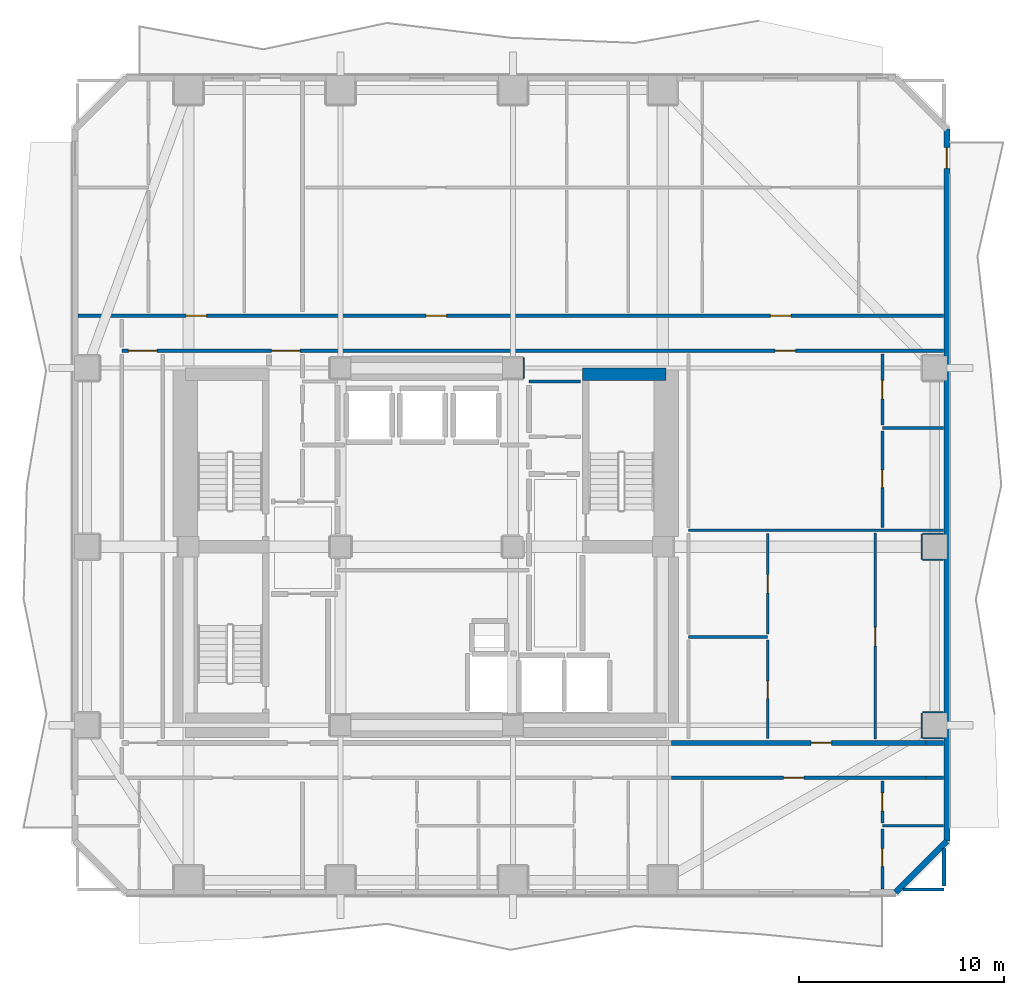
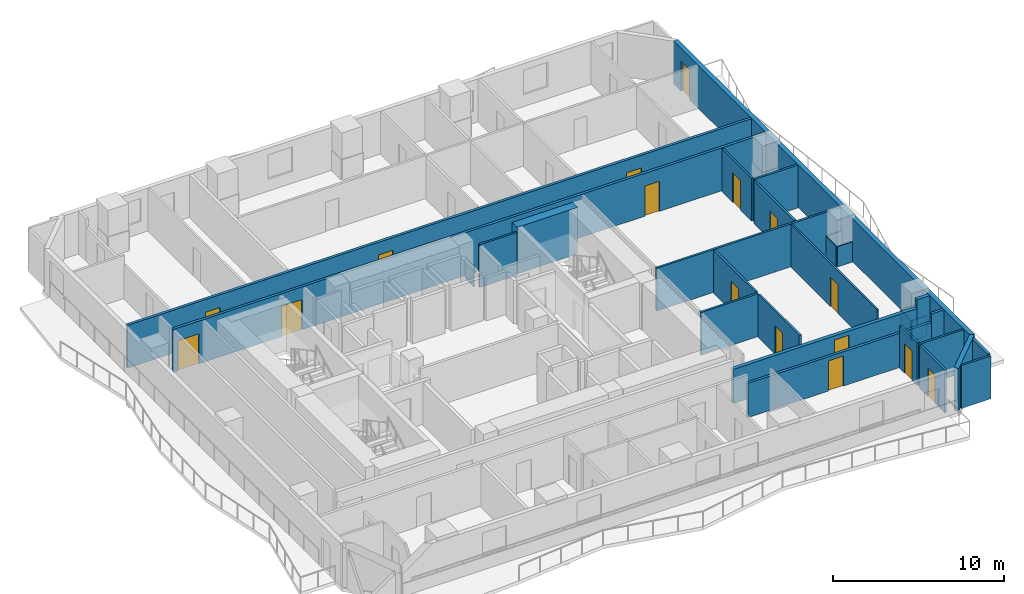
# One storey, part 5 of 11: 30 walls, 16 doors, 16 openings.
"""IFC4 building model written with IfcOpenShell, lengths in metres."""

from ifc_helpers import new_model, si_unit, direction, frame, frame_2d, origin, place, context, subcontext, project, spatial, rectangle, extrude, material, layer, layer_set, type_object, element, fill, save


model = new_model("IFC4")

# Units and contexts
model_context = context("Model", 3, precision=1e-05, world=origin(), true_north=direction((0.0, 1.0)))
body_context = subcontext(model_context, "Body", "Model", "MODEL_VIEW")
ifc_project = project(units=[si_unit("LENGTHUNIT", "METRE"), si_unit("AREAUNIT", "SQUARE_METRE"), si_unit("VOLUMEUNIT", "CUBIC_METRE"), si_unit("PLANEANGLEUNIT", "RADIAN"), si_unit("MASSUNIT", "GRAM", prefix="KILO")], contexts=[model_context])

# Site, building, storey
site_placement = place(None, origin())
site = spatial("IfcSite", under=ifc_project, at=site_placement, CompositionType="ELEMENT")
building_placement = place(site_placement, origin())
building = spatial("IfcBuilding", under=site, at=building_placement, Name="Solanera Arch Residences", CompositionType="ELEMENT")
storey_placement = place(building_placement, frame((0.0, 0.0, 65.159912109375)))
storey = spatial("IfcBuildingStorey", under=building, at=storey_placement, Name="L18", CompositionType="ELEMENT", Elevation=65.159912109375)

# Walls
ifc_material_1 = material(Name="Fire-Rated Gypsum Stud Partition", Category="gypsum")
ifc_layer_1 = layer(ifc_material_1, 0.06005859375)
ifc_layer_set_1 = layer_set([ifc_layer_1], Name="Fire-Rated Gypsum Stud Partition")
wall_type_1 = type_object("IfcWallType", Name="Column Acoustic Furring Wall 60", PredefinedType="PARTITIONING", material=ifc_layer_set_1)
wall_1_placement = place(storey_placement, frame((29.73193359375, 38.89990234375, 0.0), z_axis=(0.0, 0.0, 1.0), x_axis=(0.0, 1.0, 0.0)))
element("IfcWall", 1, at=wall_1_placement, inside=storey, type_object=wall_type_1, Name="L18 Column Furring 4E", PredefinedType="PARTITIONING", context=body_context, shape_type="SweptSolid", body=[
    extrude(rectangle(XDim=1.0, YDim=0.06005859375, at=frame_2d((0.5, 0.0))), origin(), (0.0, 0.0, 1.0), 1.4501953125),
])
for number, where, z_axis, x_axis, name in (
    (2, (49.14990234375, 21.367919921875, 0.0), (0.0, 0.0, 1.0), (1.0, 0.0, 0.0), "L18 Column Furring 18S"),
    (3, (49.14990234375, 22.632080078125, 0.0), (0.0, 0.0, 1.0), (1.0, 0.0, 0.0), "L18 Column Furring 18N"),
):
    element("IfcWall", number, at=place(storey_placement, frame(where, z_axis=z_axis, x_axis=x_axis)), inside=storey, type_object=wall_type_1, Name=name, PredefinedType="PARTITIONING", context=body_context, shape_type="SweptSolid", body=[
        extrude(rectangle(XDim=1.02001953125, YDim=0.06005859375, at=frame_2d((0.510009765625, 0.0))), origin(), (0.0, 0.0, 1.0), 1.4501953125),
    ])
wall_2_placement = place(storey_placement, frame((49.117919921875, 21.39990234375, 0.0), z_axis=(0.0, 0.0, 1.0), x_axis=(0.0, 1.0, 0.0)))
element("IfcWall", 4, at=wall_2_placement, inside=storey, type_object=wall_type_1, Name="L18 Column Furring 18W", PredefinedType="PARTITIONING", context=body_context, shape_type="SweptSolid", body=[
    extrude(rectangle(XDim=1.2001953125, YDim=0.06005859375, at=frame_2d((0.60009765625, 0.0))), origin(), (0.0, 0.0, 1.0), 1.4501953125),
])
for number, where, z_axis, x_axis, name in (
    (5, (49.14990234375, 30.068115234375, 0.0), (0.0, 0.0, 1.0), (1.0, 0.0, 0.0), "L18 Column Furring 20S"),
    (6, (49.14990234375, 31.33203125, 0.0), (0.0, 0.0, 1.0), (1.0, 0.0, 0.0), "L18 Column Furring 20N"),
):
    element("IfcWall", number, at=place(storey_placement, frame(where, z_axis=z_axis, x_axis=x_axis)), inside=storey, type_object=wall_type_1, Name=name, PredefinedType="PARTITIONING", context=body_context, shape_type="SweptSolid", body=[
        extrude(rectangle(XDim=1.02001953125, YDim=0.06005859375, at=frame_2d((0.510009765625, 0.0))), origin(), (0.0, 0.0, 1.0), 1.4501953125),
    ])
wall_3_placement = place(storey_placement, frame((49.117919921875, 30.10009765625, 0.0), z_axis=(0.0, 0.0, 1.0), x_axis=(0.0, 1.0, 0.0)))
element("IfcWall", 7, at=wall_3_placement, inside=storey, type_object=wall_type_1, Name="L18 Column Furring 20W", PredefinedType="PARTITIONING", context=body_context, shape_type="SweptSolid", body=[
    extrude(rectangle(XDim=1.199951171875, YDim=0.06005859375, at=frame_2d((0.60009765625, 0.0))), origin(), (0.0, 0.0, 1.0), 1.4501953125),
])
ifc_material_2 = material(Name="Concrete C40/50 (f'c = 45 MPa)", Category="concrete")
ifc_layer_2 = layer(ifc_material_2, 0.60009765625)
ifc_layer_set_2 = layer_set([ifc_layer_2], Name="Concrete C40/50 (f'c = 45 MPa)")
wall_type_2 = type_object("IfcWallType", Name="Core Shear Wall CW-600", PredefinedType="SHEAR", material=ifc_layer_set_2)
wall_4_placement = place(storey_placement, frame((32.580078125, 39.10009765625, 0.0), z_axis=(0.0, 0.0, 1.0), x_axis=(1.0, 0.0, 0.0)))
element("IfcWall", 8, at=wall_4_placement, inside=storey, type_object=wall_type_2, Name="L18 North-East Core Shear Wall", PredefinedType="SHEAR", context=body_context, shape_type="SweptSolid", body=[
    extrude(rectangle(XDim=4.079833984375, YDim=0.60009765625, at=frame_2d((2.0400390625, 0.0))), origin(), (0.0, 0.0, 1.0), 3.320068359375),
])

# Wall, opening, door
ifc_material_3 = material(Name="Autoclaved Aerated Concrete Blockwork", Category="masonry")
ifc_layer_3 = layer(ifc_material_3, 0.179931640625)
ifc_layer_set_3 = layer_set([ifc_layer_3], Name="Autoclaved Aerated Concrete Blockwork")
wall_type_3 = type_object("IfcWallType", Name="Corridor Fire Partition 180", PredefinedType="PARTITIONING", material=ifc_layer_set_3)
wall_5_placement = place(storey_placement, frame((36.928955078125, 19.449951171875, 0.0), z_axis=(0.0, 0.0, 1.0), x_axis=(1.0, 0.0, 0.0)))
wall_5 = element("IfcWall", 9, at=wall_5_placement, inside=storey, type_object=wall_type_3, Name="L18 Interior Partition H7 2", PredefinedType="PARTITIONING", context=body_context, shape_type="SweptSolid", body=[
    extrude(rectangle(XDim=12.39208984375, YDim=0.179931640625, at=frame_2d((6.196044921875, 0.0))), origin(), (0.0, 0.0, 1.0), 2.445068359375),
])
opening_1_placement = place(wall_5_placement, frame((5.447021484375, 0.0, 0.0)))
opening_1 = element("IfcOpeningElement", 10, at=opening_1_placement, cuts=wall_5, Name="Opening DI-01", PredefinedType="OPENING", context=body_context, shape_type="SweptSolid", body=[
    extrude(rectangle(XDim=1.0, YDim=2.14990234375, at=frame_2d((0.5, 1.074951171875))), frame((0.0, 0.10009765625, 0.0), z_axis=(0.0, -1.0, 0.0), x_axis=(1.0, 0.0, 0.0)), (0.0, 0.0, 1.0), 0.1999),
])
ifc_material_4 = material(Name="Fire-Rated Architectural Hardwood", Category="wood")
door_type_1 = type_object("IfcDoorType", Name="Unit Entrance Fire Door DI-01", OperationType="NOTDEFINED", PredefinedType="DOOR", material=ifc_material_4)
door_1_placement = place(opening_1_placement, origin())
door_1 = element("IfcDoor", 11, at=door_1_placement, inside=storey, type_object=door_type_1, Name="DR-L18-IN-025", OperationType="SINGLE_SWING_LEFT", OverallHeight=2.14990234375, OverallWidth=1.0, PredefinedType="DOOR", context=body_context, shape_type="SweptSolid", body=[
    extrude(rectangle(XDim=1.0, YDim=2.14990234375, at=frame_2d((0.5, 1.074951171875))), frame((0.0, 0.02490234375, 0.0), z_axis=(0.0, -1.0, 0.0), x_axis=(1.0, 0.0, 0.0)), (0.0, 0.0, 1.0), 0.050048828125),
])
fill(opening_1, door_1)

# Wall
wall_6_placement = place(storey_placement, frame((49.321044921875, 19.449951171875, 0.0), z_axis=(0.0, 0.0, 1.0), x_axis=(1.0, 0.0, 0.0)))
element("IfcWall", 12, at=wall_6_placement, inside=storey, type_object=wall_type_3, Name="L18 Interior Partition H7 3", PredefinedType="PARTITIONING", context=body_context, shape_type="SweptSolid", body=[
    extrude(rectangle(XDim=0.85205078125, YDim=0.179931640625, at=frame_2d((0.426025390625, 0.0))), origin(), (0.0, 0.0, 1.0), 3.06005859375),
])

# Wall, openings, doors
wall_7_placement = place(storey_placement, frame((10.14990234375, 40.25, 0.0), z_axis=(0.0, 0.0, 1.0), x_axis=(1.0, 0.0, 0.0)))
wall_7 = element("IfcWall", 13, at=wall_7_placement, inside=storey, type_object=wall_type_3, Name="L18 Interior Partition H10", PredefinedType="PARTITIONING", context=body_context, shape_type="SweptSolid", body=[
    extrude(rectangle(XDim=40.023193359375, YDim=0.179931640625, at=frame_2d((20.01171875, 0.0))), origin(), (0.0, 0.0, 1.0), 3.06005859375),
])
opening_2_placement = place(wall_7_placement, frame((7.284912109375, 0.0, 0.0)))
opening_2 = element("IfcOpeningElement", 14, at=opening_2_placement, cuts=wall_7, Name="Opening DF-03", PredefinedType="OPENING", context=body_context, shape_type="SweptSolid", body=[
    extrude(rectangle(XDim=1.39990234375, YDim=2.14990234375, at=frame_2d((0.699951171875, 1.074951171875))), frame((0.0, 0.10009765625, 0.0), z_axis=(0.0, -1.0, 0.0), x_axis=(1.0, 0.0, 0.0)), (0.0, 0.0, 1.0), 0.1999),
])
opening_3_placement = place(wall_7_placement, frame((0.323974609375, 0.0, 0.0)))
opening_3 = element("IfcOpeningElement", 15, at=opening_3_placement, cuts=wall_7, Name="Opening DF-03", PredefinedType="OPENING", context=body_context, shape_type="SweptSolid", body=[
    extrude(rectangle(XDim=1.39990234375, YDim=2.14990234375, at=frame_2d((0.699951171875, 1.074951171875))), frame((0.0, 0.10009765625, 0.0), z_axis=(0.0, -1.0, 0.0), x_axis=(1.0, 0.0, 0.0)), (0.0, 0.0, 1.0), 0.1999),
])
opening_4_placement = place(wall_7_placement, frame((31.824951171875, 0.0, 0.0)))
opening_4 = element("IfcOpeningElement", 16, at=opening_4_placement, cuts=wall_7, Name="Opening DI-01", PredefinedType="OPENING", context=body_context, shape_type="SweptSolid", body=[
    extrude(rectangle(XDim=1.0, YDim=2.14990234375, at=frame_2d((0.5, 1.074951171875))), frame((0.0, 0.10009765625, 0.0), z_axis=(0.0, -1.0, 0.0), x_axis=(1.0, 0.0, 0.0)), (0.0, 0.0, 1.0), 0.1999),
])
ifc_material_5 = material(Name="Fire-Rated Architectural Hardwood", Category="wood")
door_type_2 = type_object("IfcDoorType", Name="Corridor Smoke Door DF-03", OperationType="NOTDEFINED", PredefinedType="DOOR", material=ifc_material_5)
door_2_placement = place(opening_2_placement, origin())
door_2 = element("IfcDoor", 17, at=door_2_placement, inside=storey, type_object=door_type_2, Name="DR-L18-IN-009", OperationType="SINGLE_SWING_LEFT", OverallHeight=2.14990234375, OverallWidth=1.39990234375, PredefinedType="DOOR", context=body_context, shape_type="SweptSolid", body=[
    extrude(rectangle(XDim=1.39990234375, YDim=2.14990234375, at=frame_2d((0.699951171875, 1.074951171875))), frame((0.0, 0.02490234375, 0.0), z_axis=(0.0, -1.0, 0.0), x_axis=(1.0, 0.0, 0.0)), (0.0, 0.0, 1.0), 0.050048828125),
])
fill(opening_2, door_2)
door_3_placement = place(opening_3_placement, origin())
door_3 = element("IfcDoor", 18, at=door_3_placement, inside=storey, type_object=door_type_2, Name="DR-L18-IN-011", OperationType="SINGLE_SWING_LEFT", OverallHeight=2.14990234375, OverallWidth=1.39990234375, PredefinedType="DOOR", context=body_context, shape_type="SweptSolid", body=[
    extrude(rectangle(XDim=1.39990234375, YDim=2.14990234375, at=frame_2d((0.699951171875, 1.074951171875))), frame((0.0, 0.02490234375, 0.0), z_axis=(0.0, -1.0, 0.0), x_axis=(1.0, 0.0, 0.0)), (0.0, 0.0, 1.0), 0.050048828125),
])
fill(opening_3, door_3)
door_4_placement = place(opening_4_placement, origin())
door_4 = element("IfcDoor", 19, at=door_4_placement, inside=storey, type_object=door_type_1, Name="DR-L18-IN-046", OperationType="SINGLE_SWING_RIGHT", OverallHeight=2.14990234375, OverallWidth=1.0, PredefinedType="DOOR", context=body_context, shape_type="SweptSolid", body=[
    extrude(rectangle(XDim=1.0, YDim=2.14990234375, at=frame_2d((0.5, 1.074951171875))), frame((0.0, 0.02490234375, 0.0), z_axis=(0.0, -1.0, 0.0), x_axis=(1.0, 0.0, 0.0)), (0.0, 0.0, 1.0), 0.050048828125),
])
fill(opening_4, door_4)

wall_8_placement = place(storey_placement, frame((8.027099609375, 41.949951171875, 0.0), z_axis=(0.0, 0.0, 1.0), x_axis=(1.0, 0.0, 0.0)))
wall_8 = element("IfcWall", 20, at=wall_8_placement, inside=storey, type_object=wall_type_3, Name="L18 Interior Partition H11", PredefinedType="PARTITIONING", context=body_context, shape_type="SweptSolid", body=[
    extrude(rectangle(XDim=42.14599609375, YDim=0.179931640625, at=frame_2d((21.072998046875, 0.0))), origin(), (0.0, 0.0, 1.0), 3.06005859375),
])
opening_5_placement = place(wall_8_placement, frame((5.2548828125, 0.0, 0.0)))
opening_5 = element("IfcOpeningElement", 21, at=opening_5_placement, cuts=wall_8, Name="Opening DI-01", PredefinedType="OPENING", context=body_context, shape_type="SweptSolid", body=[
    extrude(rectangle(XDim=1.0, YDim=2.14990234375, at=frame_2d((0.5, 1.074951171875))), frame((0.0, 0.10009765625, 0.0), z_axis=(0.0, -1.0, 0.0), x_axis=(1.0, 0.0, 0.0)), (0.0, 0.0, 1.0), 0.1999),
])
opening_6_placement = place(wall_8_placement, frame((16.943115234375, 0.0, 0.0)))
opening_6 = element("IfcOpeningElement", 22, at=opening_6_placement, cuts=wall_8, Name="Opening DI-01", PredefinedType="OPENING", context=body_context, shape_type="SweptSolid", body=[
    extrude(rectangle(XDim=1.0, YDim=2.14990234375, at=frame_2d((0.5, 1.074951171875))), frame((0.0, 0.10009765625, 0.0), z_axis=(0.0, -1.0, 0.0), x_axis=(1.0, 0.0, 0.0)), (0.0, 0.0, 1.0), 0.1999),
])
opening_7_placement = place(wall_8_placement, frame((33.7080078125, 0.0, 0.0)))
opening_7 = element("IfcOpeningElement", 23, at=opening_7_placement, cuts=wall_8, Name="Opening DI-01", PredefinedType="OPENING", context=body_context, shape_type="SweptSolid", body=[
    extrude(rectangle(XDim=1.0, YDim=2.14990234375, at=frame_2d((0.5, 1.074951171875))), frame((0.0, 0.10009765625, 0.0), z_axis=(0.0, -1.0, 0.0), x_axis=(1.0, 0.0, 0.0)), (0.0, 0.0, 1.0), 0.1999),
])
door_5_placement = place(opening_5_placement, origin())
door_5 = element("IfcDoor", 24, at=door_5_placement, inside=storey, type_object=door_type_1, Name="DR-L18-IN-028", OperationType="SINGLE_SWING_RIGHT", OverallHeight=2.14990234375, OverallWidth=1.0, PredefinedType="DOOR", context=body_context, shape_type="SweptSolid", body=[
    extrude(rectangle(XDim=1.0, YDim=2.14990234375, at=frame_2d((0.5, 1.074951171875))), frame((0.0, 0.02490234375, 0.0), z_axis=(0.0, -1.0, 0.0), x_axis=(1.0, 0.0, 0.0)), (0.0, 0.0, 1.0), 0.050048828125),
])
fill(opening_5, door_5)
door_6_placement = place(opening_6_placement, origin())
door_6 = element("IfcDoor", 25, at=door_6_placement, inside=storey, type_object=door_type_1, Name="DR-L18-IN-032", OperationType="SINGLE_SWING_RIGHT", OverallHeight=2.14990234375, OverallWidth=1.0, PredefinedType="DOOR", context=body_context, shape_type="SweptSolid", body=[
    extrude(rectangle(XDim=1.0, YDim=2.14990234375, at=frame_2d((0.5, 1.074951171875))), frame((0.0, 0.02490234375, 0.0), z_axis=(0.0, -1.0, 0.0), x_axis=(1.0, 0.0, 0.0)), (0.0, 0.0, 1.0), 0.050048828125),
])
fill(opening_6, door_6)
door_7_placement = place(opening_7_placement, origin())
door_7 = element("IfcDoor", 26, at=door_7_placement, inside=storey, type_object=door_type_1, Name="DR-L18-IN-036", OperationType="SINGLE_SWING_RIGHT", OverallHeight=2.14990234375, OverallWidth=1.0, PredefinedType="DOOR", context=body_context, shape_type="SweptSolid", body=[
    extrude(rectangle(XDim=1.0, YDim=2.14990234375, at=frame_2d((0.5, 1.074951171875))), frame((0.0, 0.02490234375, 0.0), z_axis=(0.0, -1.0, 0.0), x_axis=(1.0, 0.0, 0.0)), (0.0, 0.0, 1.0), 0.050048828125),
])
fill(opening_7, door_7)

# Wall
wall_9_placement = place(storey_placement, frame((50.199951171875, 14.16796875, 0.0), z_axis=(0.0, 0.0, 1.0), x_axis=(0.0, 1.0, 0.0)))
element("IfcWall", 27, at=wall_9_placement, inside=storey, type_object=wall_type_3, Name="L18 Interior Partition V11 1", PredefinedType="PARTITIONING", context=body_context, shape_type="SweptSolid", body=[
    extrude(rectangle(XDim=1.8330078125, YDim=0.179931640625, at=frame_2d((0.91650390625, 0.0))), origin(), (0.0, 0.0, 1.0), 3.06005859375),
])

# Wall, opening, door
ifc_material_6 = material(Name="Precast Concrete C35/45", Category="concrete")
ifc_layer_4 = layer(ifc_material_6, 0.300048828125)
ifc_layer_set_4 = layer_set([ifc_layer_4], Name="Precast Concrete C35/45")
wall_type_4 = type_object("IfcWallType", Name="Exterior Wall Precast Masonry-Frame 300", PredefinedType="STANDARD", material=ifc_layer_set_4)
wall_10_placement = place(storey_placement, frame((50.3349609375, 51.034912109375, 0.0), z_axis=(0.0, 0.0, 1.0), x_axis=(0.0, -1.0, 0.0)))
wall_10 = element("IfcWall", 28, at=wall_10_placement, inside=storey, type_object=wall_type_4, Name="L18 Tower Exterior Precast Masonry-Frame Wall E", PredefinedType="STANDARD", context=body_context, shape_type="SweptSolid", body=[
    extrude(rectangle(XDim=34.669921875, YDim=0.300048828125, at=frame_2d((17.3349609375, 0.0))), origin(), (0.0, 0.0, 1.0), 3.06005859375),
])
opening_8_placement = place(wall_10_placement, frame((0.90087890625, 0.0, 0.0)))
opening_8 = element("IfcOpeningElement", 29, at=opening_8_placement, cuts=wall_10, Name="Opening DB-01", PredefinedType="OPENING", context=body_context, shape_type="SweptSolid", body=[
    extrude(rectangle(XDim=1.0, YDim=2.14990234375, at=frame_2d((0.5, 1.074951171875))), frame((0.0, 0.159912109375, 0.0), z_axis=(0.0, -1.0, 0.0), x_axis=(1.0, 0.0, 0.0)), (0.0, 0.0, 1.0), 0.32),
])
ifc_material_7 = material(Name="Anodised Aluminium Alloy 6063-T6", Category="aluminium")
door_type_3 = type_object("IfcDoorType", Name="Glazed Balcony Swing Door DB-01", OperationType="NOTDEFINED", PredefinedType="DOOR", material=ifc_material_7)
door_8_placement = place(opening_8_placement, origin())
door_8 = element("IfcDoor", 30, at=door_8_placement, inside=storey, type_object=door_type_3, Name="DR-L18-OUT-03", OperationType="SINGLE_SWING_RIGHT", OverallHeight=2.14990234375, OverallWidth=1.0, PredefinedType="DOOR", context=body_context, shape_type="SweptSolid", body=[
    extrude(rectangle(XDim=1.0, YDim=2.14990234375, at=frame_2d((0.5, 1.074951171875))), frame((0.0, 0.02490234375, 0.0), z_axis=(0.0, -1.0, 0.0), x_axis=(1.0, 0.0, 0.0)), (0.0, 0.0, 1.0), 0.050048828125),
])
fill(opening_8, door_8)

# Wall
wall_11_placement = place(storey_placement, frame((50.3349609375, 16.364990234375, 0.0), z_axis=(0.0, 0.0, 1.0), x_axis=(-0.707106781187, -0.707106781187, 0.0)))
element("IfcWall", 31, at=wall_11_placement, inside=storey, type_object=wall_type_4, Name="L18 Tower Exterior Precast Masonry-Frame Wall CH5", PredefinedType="STANDARD", context=body_context, shape_type="SweptSolid", body=[
    extrude(rectangle(XDim=3.53564453125, YDim=0.300048828125, at=frame_2d((1.767822265625, 0.0))), origin(), (0.0, 0.0, 1.0), 3.06005859375),
])

# Wall, opening, door
ifc_material_8 = material(Name="Autoclaved Aerated Concrete Blockwork", Category="masonry")
ifc_layer_5 = layer(ifc_material_8, 0.239990234375)
ifc_layer_set_5 = layer_set([ifc_layer_5], Name="Autoclaved Aerated Concrete Blockwork")
wall_type_5 = type_object("IfcWallType", Name="Shaft Wall Fire-Rated 240", PredefinedType="PARTITIONING", material=ifc_layer_set_5)
wall_12_placement = place(storey_placement, frame((36.928955078125, 21.14990234375, 0.0), z_axis=(0.0, 0.0, 1.0), x_axis=(1.0, 0.0, 0.0)))
wall_12 = element("IfcWall", 32, at=wall_12_placement, inside=storey, type_object=wall_type_5, Name="L18 Interior Partition H1 2", PredefinedType="PARTITIONING", context=body_context, shape_type="SweptSolid", body=[
    extrude(rectangle(XDim=12.39208984375, YDim=0.239990234375, at=frame_2d((6.196044921875, 0.0))), origin(), (0.0, 0.0, 1.0), 2.445068359375),
])
opening_9_placement = place(wall_12_placement, frame((6.794921875, 0.0, 0.0)))
opening_9 = element("IfcOpeningElement", 33, at=opening_9_placement, cuts=wall_12, Name="Opening DI-01", PredefinedType="OPENING", context=body_context, shape_type="SweptSolid", body=[
    extrude(rectangle(XDim=1.0, YDim=2.14990234375, at=frame_2d((0.5, 1.074951171875))), frame((0.0, 0.1298828125, 0.0), z_axis=(0.0, -1.0, 0.0), x_axis=(1.0, 0.0, 0.0)), (0.0, 0.0, 1.0), 0.26),
])
door_9_placement = place(opening_9_placement, origin())
door_9 = element("IfcDoor", 34, at=door_9_placement, inside=storey, type_object=door_type_1, Name="DR-L18-IN-042", OperationType="SINGLE_SWING_RIGHT", OverallHeight=2.14990234375, OverallWidth=1.0, PredefinedType="DOOR", context=body_context, shape_type="SweptSolid", body=[
    extrude(rectangle(XDim=1.0, YDim=2.14990234375, at=frame_2d((0.5, 1.074951171875))), frame((0.0, 0.02490234375, 0.0), z_axis=(0.0, -1.0, 0.0), x_axis=(1.0, 0.0, 0.0)), (0.0, 0.0, 1.0), 0.050048828125),
])
fill(opening_9, door_9)

# Wall
wall_13_placement = place(storey_placement, frame((49.321044921875, 21.14990234375, 0.0), z_axis=(0.0, 0.0, 1.0), x_axis=(1.0, 0.0, 0.0)))
element("IfcWall", 35, at=wall_13_placement, inside=storey, type_object=wall_type_5, Name="L18 Interior Partition H1 3", PredefinedType="PARTITIONING", context=body_context, shape_type="SweptSolid", body=[
    extrude(rectangle(XDim=0.85205078125, YDim=0.239990234375, at=frame_2d((0.426025390625, 0.0))), origin(), (0.0, 0.0, 1.0), 3.06005859375),
])

# Wall, opening, door
ifc_material_9 = material(Name="Fire-Rated Gypsum Stud Partition", Category="gypsum")
ifc_layer_6 = layer(ifc_material_9, 0.1201171875)
ifc_layer_set_6 = layer_set([ifc_layer_6], Name="Fire-Rated Gypsum Stud Partition")
wall_type_6 = type_object("IfcWallType", Name="Unit Drywall Partition 120", PredefinedType="PARTITIONING", material=ifc_layer_set_6)
wall_14_placement = place(storey_placement, frame((46.839111328125, 21.337890625, 0.0), z_axis=(0.0, 0.0, 1.0), x_axis=(0.0, 1.0, 0.0)))
wall_14 = element("IfcWall", 36, at=wall_14_placement, inside=storey, type_object=wall_type_6, Name="L18 Interior Partition V30", PredefinedType="PARTITIONING", context=body_context, shape_type="SweptSolid", body=[
    extrude(rectangle(XDim=10.024169921875, YDim=0.1201171875, at=frame_2d((5.01220703125, 0.0))), origin(), (0.0, 0.0, 1.0), 3.06005859375),
])
opening_10_placement = place(wall_14_placement, frame((4.537109375, 0.0, 0.0)))
opening_10 = element("IfcOpeningElement", 37, at=opening_10_placement, cuts=wall_14, Name="Opening DI-02", PredefinedType="OPENING", context=body_context, shape_type="SweptSolid", body=[
    extrude(rectangle(XDim=0.89990234375, YDim=2.10009765625, at=frame_2d((0.449951171875, 1.050048828125))), frame((0.0, 0.070068359375, 0.0), z_axis=(0.0, -1.0, 0.0), x_axis=(1.0, 0.0, 0.0)), (0.0, 0.0, 1.0), 0.1401),
])
ifc_material_10 = material(Name="Fire-Rated Architectural Hardwood", Category="wood")
door_type_4 = type_object("IfcDoorType", Name="Suite Room Swing Door DI-02", OperationType="NOTDEFINED", PredefinedType="DOOR", material=ifc_material_10)
door_10_placement = place(opening_10_placement, origin())
door_10 = element("IfcDoor", 38, at=door_10_placement, inside=storey, type_object=door_type_4, Name="DR-L18-IN-045", OperationType="SINGLE_SWING_LEFT", OverallHeight=2.10009765625, OverallWidth=0.89990234375, PredefinedType="DOOR", context=body_context, shape_type="SweptSolid", body=[
    extrude(rectangle(XDim=0.89990234375, YDim=2.10009765625, at=frame_2d((0.449951171875, 1.050048828125))), frame((0.0, 0.02490234375, 0.0), z_axis=(0.0, -1.0, 0.0), x_axis=(1.0, 0.0, 0.0)), (0.0, 0.0, 1.0), 0.050048828125),
])
fill(opening_10, door_10)

# Walls
ifc_material_11 = material(Name="Autoclaved Aerated Concrete Blockwork", Category="masonry")
ifc_layer_7 = layer(ifc_material_11, 0.139892578125)
ifc_layer_set_7 = layer_set([ifc_layer_7], Name="Autoclaved Aerated Concrete Blockwork")
wall_type_7 = type_object("IfcWallType", Name="Wet-Room Partition 140", PredefinedType="PARTITIONING", material=ifc_layer_set_7)
wall_15_placement = place(storey_placement, frame((48.198974609375, 14.0, 0.0), z_axis=(0.0, 0.0, 1.0), x_axis=(1.0, 0.0, 0.0)))
element("IfcWall", 39, at=wall_15_placement, inside=storey, type_object=wall_type_7, Name="L18 Interior Partition H12 2", PredefinedType="PARTITIONING", context=body_context, shape_type="SweptSolid", body=[
    extrude(rectangle(XDim=2.0009765625, YDim=0.139892578125, at=frame_2d((1.00048828125, 0.0))), origin(), (0.0, 0.0, 1.0), 3.06005859375),
])
wall_16_placement = place(storey_placement, frame((47.199951171875, 17.10693359375, 0.0), z_axis=(0.0, 0.0, 1.0), x_axis=(1.0, 0.0, 0.0)))
element("IfcWall", 40, at=wall_16_placement, inside=storey, type_object=wall_type_7, Name="L18 Interior Partition H15", PredefinedType="PARTITIONING", context=body_context, shape_type="SweptSolid", body=[
    extrude(rectangle(XDim=2.97314453125, YDim=0.139892578125, at=frame_2d((1.486572265625, 0.0))), origin(), (0.0, 0.0, 1.0), 3.06005859375),
])
wall_17_placement = place(storey_placement, frame((37.75, 26.300048828125, 0.0), z_axis=(0.0, 0.0, 1.0), x_axis=(1.0, 0.0, 0.0)))
element("IfcWall", 41, at=wall_17_placement, inside=storey, type_object=wall_type_7, Name="L18 Interior Partition H16", PredefinedType="PARTITIONING", context=body_context, shape_type="SweptSolid", body=[
    extrude(rectangle(XDim=3.860107421875, YDim=0.139892578125, at=frame_2d((1.93017578125, 0.0))), origin(), (0.0, 0.0, 1.0), 3.06005859375),
])
wall_18_placement = place(storey_placement, frame((37.75, 31.5, 0.0), z_axis=(0.0, 0.0, 1.0), x_axis=(1.0, 0.0, 0.0)))
element("IfcWall", 42, at=wall_18_placement, inside=storey, type_object=wall_type_7, Name="L18 Interior Partition H17", PredefinedType="PARTITIONING", context=body_context, shape_type="SweptSolid", body=[
    extrude(rectangle(XDim=12.423095703125, YDim=0.139892578125, at=frame_2d((6.21142578125, 0.0))), origin(), (0.0, 0.0, 1.0), 3.06005859375),
])
wall_19_placement = place(storey_placement, frame((47.199951171875, 36.487060546875, 0.0), z_axis=(0.0, 0.0, 1.0), x_axis=(1.0, 0.0, 0.0)))
element("IfcWall", 43, at=wall_19_placement, inside=storey, type_object=wall_type_7, Name="L18 Interior Partition H18", PredefinedType="PARTITIONING", context=body_context, shape_type="SweptSolid", body=[
    extrude(rectangle(XDim=2.97314453125, YDim=0.139892578125, at=frame_2d((1.486572265625, 0.0))), origin(), (0.0, 0.0, 1.0), 3.06005859375),
])
wall_20_placement = place(storey_placement, frame((29.97509765625, 38.75, 0.0), z_axis=(0.0, 0.0, 1.0), x_axis=(1.0, 0.0, 0.0)))
element("IfcWall", 44, at=wall_20_placement, inside=storey, type_object=wall_type_7, Name="L18 Interior Partition H20", PredefinedType="PARTITIONING", context=body_context, shape_type="SweptSolid", body=[
    extrude(rectangle(XDim=2.52490234375, YDim=0.139892578125, at=frame_2d((1.262451171875, 0.0))), origin(), (0.0, 0.0, 1.0), 3.06005859375),
])

# Wall, opening, door
wall_21_placement = place(storey_placement, frame((41.610107421875, 21.347900390625, 0.0), z_axis=(0.0, 0.0, 1.0), x_axis=(0.0, 1.0, 0.0)))
wall_21 = element("IfcWall", 45, at=wall_21_placement, inside=storey, type_object=wall_type_7, Name="L18 Interior Partition V25 1", PredefinedType="PARTITIONING", context=body_context, shape_type="SweptSolid", body=[
    extrude(rectangle(XDim=4.80419921875, YDim=0.139892578125, at=frame_2d((2.402099609375, 0.0))), origin(), (0.0, 0.0, 1.0), 3.06005859375),
])
opening_11_placement = place(wall_21_placement, frame((1.9599609375, 0.0, 0.0)))
opening_11 = element("IfcOpeningElement", 46, at=opening_11_placement, cuts=wall_21, Name="Opening DI-05", PredefinedType="OPENING", context=body_context, shape_type="SweptSolid", body=[
    extrude(rectangle(XDim=0.860107421875, YDim=2.02001953125, at=frame_2d((0.43017578125, 1.010009765625))), frame((0.0, 0.079833984375, 0.0), z_axis=(0.0, -1.0, 0.0), x_axis=(1.0, 0.0, 0.0)), (0.0, 0.0, 1.0), 0.1599),
])
ifc_material_12 = material(Name="Fire-Rated Architectural Hardwood", Category="wood")
door_type_5 = type_object("IfcDoorType", Name="Bathroom Swing Door DI-05", OperationType="NOTDEFINED", PredefinedType="DOOR", material=ifc_material_12)
door_11_placement = place(opening_11_placement, origin())
door_11 = element("IfcDoor", 47, at=door_11_placement, inside=storey, type_object=door_type_5, Name="DR-L18-IN-043", OperationType="SINGLE_SWING_LEFT", OverallHeight=2.02001953125, OverallWidth=0.860107421875, PredefinedType="DOOR", context=body_context, shape_type="SweptSolid", body=[
    extrude(rectangle(XDim=0.860107421875, YDim=2.02001953125, at=frame_2d((0.43017578125, 1.010009765625))), frame((0.0, 0.02490234375, 0.0), z_axis=(0.0, -1.0, 0.0), x_axis=(1.0, 0.0, 0.0)), (0.0, 0.0, 1.0), 0.050048828125),
])
fill(opening_11, door_11)

wall_22_placement = place(storey_placement, frame((41.610107421875, 26.447998046875, 0.0), z_axis=(0.0, 0.0, 1.0), x_axis=(0.0, 1.0, 0.0)))
wall_22 = element("IfcWall", 48, at=wall_22_placement, inside=storey, type_object=wall_type_7, Name="L18 Interior Partition V25 2", PredefinedType="PARTITIONING", context=body_context, shape_type="SweptSolid", body=[
    extrude(rectangle(XDim=4.904052734375, YDim=0.139892578125, at=frame_2d((2.4521484375, 0.0))), origin(), (0.0, 0.0, 1.0), 3.06005859375),
])
opening_12_placement = place(wall_22_placement, frame((1.989013671875, 0.0, 0.0)))
opening_12 = element("IfcOpeningElement", 49, at=opening_12_placement, cuts=wall_22, Name="Opening DI-03", PredefinedType="OPENING", context=body_context, shape_type="SweptSolid", body=[
    extrude(rectangle(XDim=0.89990234375, YDim=2.10009765625, at=frame_2d((0.449951171875, 1.050048828125))), frame((0.0, 0.079833984375, 0.0), z_axis=(0.0, -1.0, 0.0), x_axis=(1.0, 0.0, 0.0)), (0.0, 0.0, 1.0), 0.1599),
])
ifc_material_13 = material(Name="Fire-Rated Architectural Hardwood", Category="wood")
door_type_6 = type_object("IfcDoorType", Name="Bedroom Swing Door DI-03", OperationType="NOTDEFINED", PredefinedType="DOOR", material=ifc_material_13)
door_12_placement = place(opening_12_placement, origin())
door_12 = element("IfcDoor", 50, at=door_12_placement, inside=storey, type_object=door_type_6, Name="DR-L18-IN-044", OperationType="SINGLE_SWING_RIGHT", OverallHeight=2.10009765625, OverallWidth=0.89990234375, PredefinedType="DOOR", context=body_context, shape_type="SweptSolid", body=[
    extrude(rectangle(XDim=0.89990234375, YDim=2.10009765625, at=frame_2d((0.449951171875, 1.050048828125))), frame((0.0, 0.02490234375, 0.0), z_axis=(0.0, -1.0, 0.0), x_axis=(1.0, 0.0, 0.0)), (0.0, 0.0, 1.0), 0.050048828125),
])
fill(opening_12, door_12)

wall_23_placement = place(storey_placement, frame((47.199951171875, 14.027099609375, 0.0), z_axis=(0.0, 0.0, 1.0), x_axis=(0.0, 1.0, 0.0)))
wall_23 = element("IfcWall", 51, at=wall_23_placement, inside=storey, type_object=wall_type_7, Name="L18 Interior Partition V26 1", PredefinedType="PARTITIONING", context=body_context, shape_type="SweptSolid", body=[
    extrude(rectangle(XDim=2.931884765625, YDim=0.139892578125, at=frame_2d((1.4658203125, 0.0))), origin(), (0.0, 0.0, 1.0), 3.06005859375),
])
opening_13_placement = place(wall_23_placement, frame((1.10888671875, 0.0, 0.0)))
opening_13 = element("IfcOpeningElement", 52, at=opening_13_placement, cuts=wall_23, Name="Opening DI-05", PredefinedType="OPENING", context=body_context, shape_type="SweptSolid", body=[
    extrude(rectangle(XDim=0.860107421875, YDim=2.02001953125, at=frame_2d((0.43017578125, 1.010009765625))), frame((0.0, 0.079833984375, 0.0), z_axis=(0.0, -1.0, 0.0), x_axis=(1.0, 0.0, 0.0)), (0.0, 0.0, 1.0), 0.1599),
])
door_13_placement = place(opening_13_placement, origin())
door_13 = element("IfcDoor", 53, at=door_13_placement, inside=storey, type_object=door_type_5, Name="DR-L18-IN-027", OperationType="SINGLE_SWING_LEFT", OverallHeight=2.02001953125, OverallWidth=0.860107421875, PredefinedType="DOOR", context=body_context, shape_type="SweptSolid", body=[
    extrude(rectangle(XDim=0.860107421875, YDim=2.02001953125, at=frame_2d((0.43017578125, 1.010009765625))), frame((0.0, 0.02490234375, 0.0), z_axis=(0.0, -1.0, 0.0), x_axis=(1.0, 0.0, 0.0)), (0.0, 0.0, 1.0), 0.050048828125),
])
fill(opening_13, door_13)

wall_24_placement = place(storey_placement, frame((47.199951171875, 17.2548828125, 0.0), z_axis=(0.0, 0.0, 1.0), x_axis=(0.0, 1.0, 0.0)))
wall_24 = element("IfcWall", 54, at=wall_24_placement, inside=storey, type_object=wall_type_7, Name="L18 Interior Partition V26 2", PredefinedType="PARTITIONING", context=body_context, shape_type="SweptSolid", body=[
    extrude(rectangle(XDim=2.027099609375, YDim=0.139892578125, at=frame_2d((1.013671875, 0.0))), origin(), (0.0, 0.0, 1.0), 3.06005859375),
])
opening_14_placement = place(wall_24_placement, frame((0.56103515625, 0.0, 0.0)))
opening_14 = element("IfcOpeningElement", 55, at=opening_14_placement, cuts=wall_24, Name="Opening DI-02", PredefinedType="OPENING", context=body_context, shape_type="SweptSolid", body=[
    extrude(rectangle(XDim=0.89990234375, YDim=2.10009765625, at=frame_2d((0.449951171875, 1.050048828125))), frame((0.0, 0.079833984375, 0.0), z_axis=(0.0, -1.0, 0.0), x_axis=(1.0, 0.0, 0.0)), (0.0, 0.0, 1.0), 0.1599),
])
door_14_placement = place(opening_14_placement, origin())
door_14 = element("IfcDoor", 56, at=door_14_placement, inside=storey, type_object=door_type_4, Name="DR-L18-IN-026", OperationType="SINGLE_SWING_RIGHT", OverallHeight=2.10009765625, OverallWidth=0.89990234375, PredefinedType="DOOR", context=body_context, shape_type="SweptSolid", body=[
    extrude(rectangle(XDim=0.89990234375, YDim=2.10009765625, at=frame_2d((0.449951171875, 1.050048828125))), frame((0.0, 0.02490234375, 0.0), z_axis=(0.0, -1.0, 0.0), x_axis=(1.0, 0.0, 0.0)), (0.0, 0.0, 1.0), 0.050048828125),
])
fill(opening_14, door_14)

wall_25_placement = place(storey_placement, frame((47.199951171875, 31.64794921875, 0.0), z_axis=(0.0, 0.0, 1.0), x_axis=(0.0, 1.0, 0.0)))
wall_25 = element("IfcWall", 57, at=wall_25_placement, inside=storey, type_object=wall_type_7, Name="L18 Interior Partition V27 1", PredefinedType="PARTITIONING", context=body_context, shape_type="SweptSolid", body=[
    extrude(rectangle(XDim=4.691162109375, YDim=0.139892578125, at=frame_2d((2.345703125, 0.0))), origin(), (0.0, 0.0, 1.0), 3.06005859375),
])
opening_15_placement = place(wall_25_placement, frame((1.927978515625, 0.0, 0.0)))
opening_15 = element("IfcOpeningElement", 58, at=opening_15_placement, cuts=wall_25, Name="Opening DI-05", PredefinedType="OPENING", context=body_context, shape_type="SweptSolid", body=[
    extrude(rectangle(XDim=0.860107421875, YDim=2.02001953125, at=frame_2d((0.43017578125, 1.010009765625))), frame((0.0, 0.079833984375, 0.0), z_axis=(0.0, -1.0, 0.0), x_axis=(1.0, 0.0, 0.0)), (0.0, 0.0, 1.0), 0.1599),
])
door_15_placement = place(opening_15_placement, origin())
door_15 = element("IfcDoor", 59, at=door_15_placement, inside=storey, type_object=door_type_5, Name="DR-L18-IN-048", OperationType="SINGLE_SWING_RIGHT", OverallHeight=2.02001953125, OverallWidth=0.860107421875, PredefinedType="DOOR", context=body_context, shape_type="SweptSolid", body=[
    extrude(rectangle(XDim=0.860107421875, YDim=2.02001953125, at=frame_2d((0.43017578125, 1.010009765625))), frame((0.0, 0.02490234375, 0.0), z_axis=(0.0, -1.0, 0.0), x_axis=(1.0, 0.0, 0.0)), (0.0, 0.0, 1.0), 0.050048828125),
])
fill(opening_15, door_15)

wall_26_placement = place(storey_placement, frame((47.199951171875, 36.635009765625, 0.0), z_axis=(0.0, 0.0, 1.0), x_axis=(0.0, 1.0, 0.0)))
wall_26 = element("IfcWall", 60, at=wall_26_placement, inside=storey, type_object=wall_type_7, Name="L18 Interior Partition V27 2", PredefinedType="PARTITIONING", context=body_context, shape_type="SweptSolid", body=[
    extrude(rectangle(XDim=3.447021484375, YDim=0.139892578125, at=frame_2d((1.7236328125, 0.0))), origin(), (0.0, 0.0, 1.0), 3.06005859375),
])
opening_16_placement = place(wall_26_placement, frame((1.27099609375, 0.0, 0.0)))
opening_16 = element("IfcOpeningElement", 61, at=opening_16_placement, cuts=wall_26, Name="Opening DI-02", PredefinedType="OPENING", context=body_context, shape_type="SweptSolid", body=[
    extrude(rectangle(XDim=0.89990234375, YDim=2.10009765625, at=frame_2d((0.449951171875, 1.050048828125))), frame((0.0, 0.079833984375, 0.0), z_axis=(0.0, -1.0, 0.0), x_axis=(1.0, 0.0, 0.0)), (0.0, 0.0, 1.0), 0.1599),
])
door_16_placement = place(opening_16_placement, origin())
door_16 = element("IfcDoor", 62, at=door_16_placement, inside=storey, type_object=door_type_4, Name="DR-L18-IN-047", OperationType="SINGLE_SWING_LEFT", OverallHeight=2.10009765625, OverallWidth=0.89990234375, PredefinedType="DOOR", context=body_context, shape_type="SweptSolid", body=[
    extrude(rectangle(XDim=0.89990234375, YDim=2.10009765625, at=frame_2d((0.449951171875, 1.050048828125))), frame((0.0, 0.02490234375, 0.0), z_axis=(0.0, -1.0, 0.0), x_axis=(1.0, 0.0, 0.0)), (0.0, 0.0, 1.0), 0.050048828125),
])
fill(opening_16, door_16)

save(model, "model.ifc")
